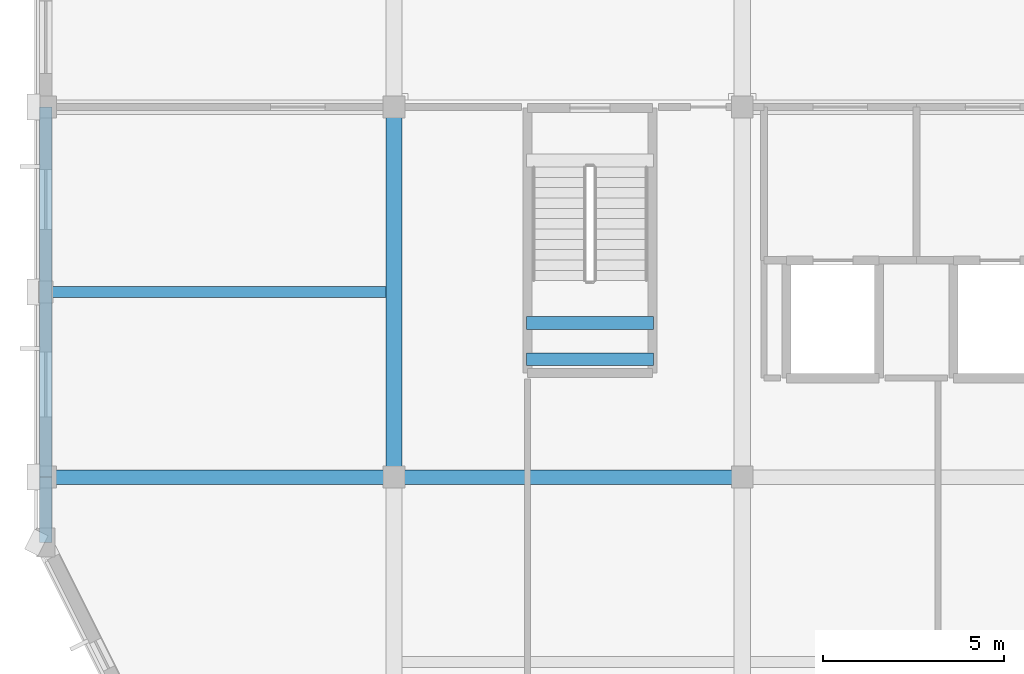
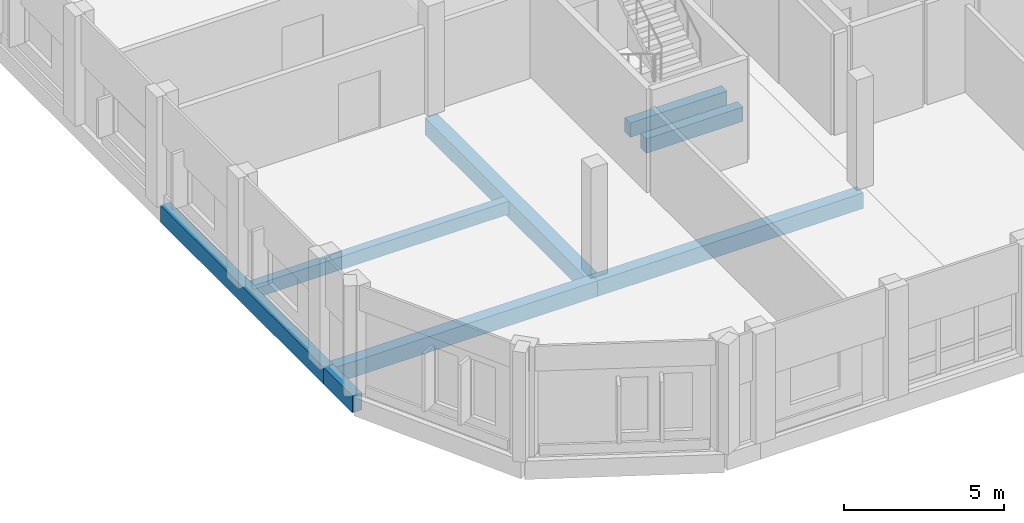
# One storey, part 10 of 93: 8 beams.
"""IFC4 building model written with IfcOpenShell, lengths in metres."""

from ifc_helpers import new_model, si_unit, direction, frame, origin, origin_2d, place, context, subcontext, project, spatial, rectangle, extrude, material, material_profile, profile_set, type_object, element, save


model = new_model("IFC4")

# Units and contexts
model_context = context("Model", 3, precision=1e-05, world=origin(), true_north=direction((0.0, 1.0)))
body_context = subcontext(model_context, "Body", "Model", "MODEL_VIEW")
ifc_project = project(units=[si_unit("LENGTHUNIT", "METRE"), si_unit("AREAUNIT", "SQUARE_METRE"), si_unit("VOLUMEUNIT", "CUBIC_METRE"), si_unit("PLANEANGLEUNIT", "RADIAN"), si_unit("MASSUNIT", "GRAM", prefix="KILO")], contexts=[model_context])

# Site, building, storey
site_placement = place(None, origin())
site = spatial("IfcSite", under=ifc_project, at=site_placement, CompositionType="ELEMENT")
building_placement = place(site_placement, origin())
building = spatial("IfcBuilding", under=site, at=building_placement, Name="Vondelvale Polytechnic", CompositionType="ELEMENT")
storey_placement = place(building_placement, frame((0.0, 0.0, 18.0)))
storey = spatial("IfcBuildingStorey", under=building, at=storey_placement, Name="L04", CompositionType="ELEMENT", Elevation=18.0)

# Beams
ifc_material_1 = material(Name="Concrete N40 (f'c = 40 MPa)", Category="concrete")
ifc_material_profile_1 = material_profile(ifc_material_1, rectangle(XDim=0.35009765625, YDim=0.550048828125, at=origin_2d()), Name="RC-BM-350x550")
ifc_profile_set_1 = profile_set([ifc_material_profile_1], Name="Concrete N40 (f'c = 40 MPa)")
beam_type_1 = type_object("IfcBeamType", Name="BM-RC350x550", PredefinedType="BEAM", material=ifc_profile_set_1)
for number, where, z_axis, x_axis, name in (
    (1, (13.25, 14.449951171875, 1.625), (1.0, 0.0, 0.0), (0.0, 1.0, 0.0), "L04 STLD B-06"),
    (2, (13.25, 13.449951171875, 1.625), (1.0, 0.0, 0.0), (0.0, 1.0, 0.0), "L04 STLD B-06"),
):
    element("IfcBeam", number, at=place(storey_placement, frame(where, z_axis=z_axis, x_axis=x_axis)), inside=storey, type_object=beam_type_1, Name=name, PredefinedType="BEAM", context=body_context, shape_type="SweptSolid", body=[
        extrude(rectangle(XDim=0.35009765625, YDim=0.550048828125, at=origin_2d()), origin(), (0.0, 0.0, 1.0), 3.5),
    ])
ifc_material_profile_2 = material_profile(ifc_material_1, rectangle(XDim=0.39990234375, YDim=0.60009765625, at=origin_2d()), Name="RC-BM-400x600")
ifc_profile_set_2 = profile_set([ifc_material_profile_2], Name="Concrete N40 (f'c = 40 MPa)")
beam_type_2 = type_object("IfcBeamType", Name="BM-RC400x600", PredefinedType="BEAM", material=ifc_profile_set_2)
beam_1_placement = place(storey_placement, frame((0.0, 10.199951171875, -0.550048828125), z_axis=(1.0, 0.0, 0.0), x_axis=(0.0, 1.0, 0.0)))
element("IfcBeam", 3, at=beam_1_placement, inside=storey, type_object=beam_type_2, Name="L04 B B-05", PredefinedType="BEAM", context=body_context, shape_type="SweptSolid", body=[
    extrude(rectangle(XDim=0.39990234375, YDim=0.60009765625, at=origin_2d()), origin(), (0.0, 0.0, 1.0), 9.60009765625),
])
beam_2_placement = place(storey_placement, frame((9.60009765625, 10.199951171875, -0.550048828125), z_axis=(1.0, 0.0, 0.0), x_axis=(0.0, 1.0, 0.0)))
element("IfcBeam", 4, at=beam_2_placement, inside=storey, type_object=beam_type_2, Name="L04 B B-05", PredefinedType="BEAM", context=body_context, shape_type="SweptSolid", body=[
    extrude(rectangle(XDim=0.39990234375, YDim=0.60009765625, at=origin_2d()), origin(), (0.0, 0.0, 1.0), 9.599853515625),
])
ifc_material_profile_3 = material_profile(ifc_material_1, rectangle(XDim=0.449951171875, YDim=0.64990234375, at=origin_2d()), Name="RC-BM-450x650")
ifc_profile_set_3 = profile_set([ifc_material_profile_3], Name="Concrete N40 (f'c = 40 MPa)")
beam_type_3 = type_object("IfcBeamType", Name="BM-RC450x650", PredefinedType="BEAM", material=ifc_profile_set_3)
beam_3_placement = place(storey_placement, frame((9.60009765625, 10.199951171875, -0.574951171875), z_axis=(0.0, 1.0, 0.0), x_axis=(-1.0, 0.0, 0.0)))
element("IfcBeam", 5, at=beam_3_placement, inside=storey, type_object=beam_type_3, Name="L04 B B-04", PredefinedType="BEAM", context=body_context, shape_type="SweptSolid", body=[
    extrude(rectangle(XDim=0.449951171875, YDim=0.64990234375, at=origin_2d()), origin(), (0.0, 0.0, 1.0), 10.199951171875),
])
ifc_material_profile_4 = material_profile(ifc_material_1, rectangle(XDim=0.300048828125, YDim=0.5, at=origin_2d()), Name="RC-JST-300x500")
ifc_profile_set_4 = profile_set([ifc_material_profile_4], Name="Concrete N40 (f'c = 40 MPa)")
beam_type_4 = type_object("IfcBeamType", Name="JST-RC300x500", PredefinedType="JOIST", material=ifc_profile_set_4)
beam_4_placement = place(storey_placement, frame((0.175048828125, 15.300048828125, -0.5), z_axis=(1.0, 0.0, 0.0), x_axis=(0.0, 1.0, 0.0)))
element("IfcBeam", 6, at=beam_4_placement, inside=storey, type_object=beam_type_4, Name="L04 J J-02", PredefinedType="JOIST", context=body_context, shape_type="SweptSolid", body=[
    extrude(rectangle(XDim=0.300048828125, YDim=0.5, at=origin_2d()), origin(), (0.0, 0.0, 1.0), 9.199951171875),
])
ifc_material_2 = material(Name="Precast concrete N40 (f'c = 40 MPa)", Category="concrete")
ifc_material_profile_5 = material_profile(ifc_material_2, rectangle(XDim=0.35009765625, YDim=0.64990234375, at=origin_2d()), Name="RC-SPN-350x650")
ifc_profile_set_5 = profile_set([ifc_material_profile_5], Name="Precast concrete N40 (f'c = 40 MPa)")
beam_type_5 = type_object("IfcBeamType", Name="SPN-PRE350x650", PredefinedType="SPANDREL", material=ifc_profile_set_5)
beam_5_placement = place(storey_placement, frame((0.0, 8.39990234375, -0.574951171875), z_axis=(0.0, 1.0, 0.0), x_axis=(-1.0, 0.0, 0.0)))
element("IfcBeam", 7, at=beam_5_placement, inside=storey, type_object=beam_type_5, Name="L04 B SP-02", PredefinedType="SPANDREL", context=body_context, shape_type="SweptSolid", body=[
    extrude(rectangle(XDim=0.35009765625, YDim=0.64990234375, at=origin_2d()), origin(), (0.0, 0.0, 1.0), 1.800048828125),
])
beam_6_placement = place(storey_placement, frame((0.0, 10.199951171875, -0.574951171875), z_axis=(0.0, 1.0, 0.0), x_axis=(-1.0, 0.0, 0.0)))
element("IfcBeam", 8, at=beam_6_placement, inside=storey, type_object=beam_type_5, Name="L04 B SP-02", PredefinedType="SPANDREL", context=body_context, shape_type="SweptSolid", body=[
    extrude(rectangle(XDim=0.35009765625, YDim=0.64990234375, at=origin_2d()), origin(), (0.0, 0.0, 1.0), 10.199951171875),
])

save(model, "model.ifc")
